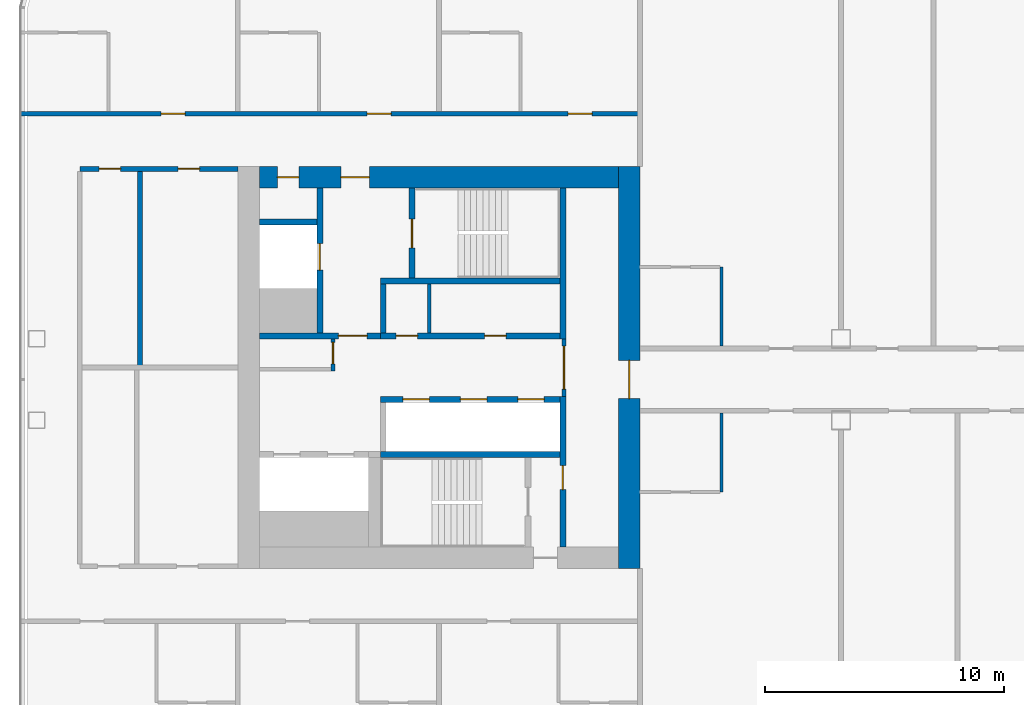
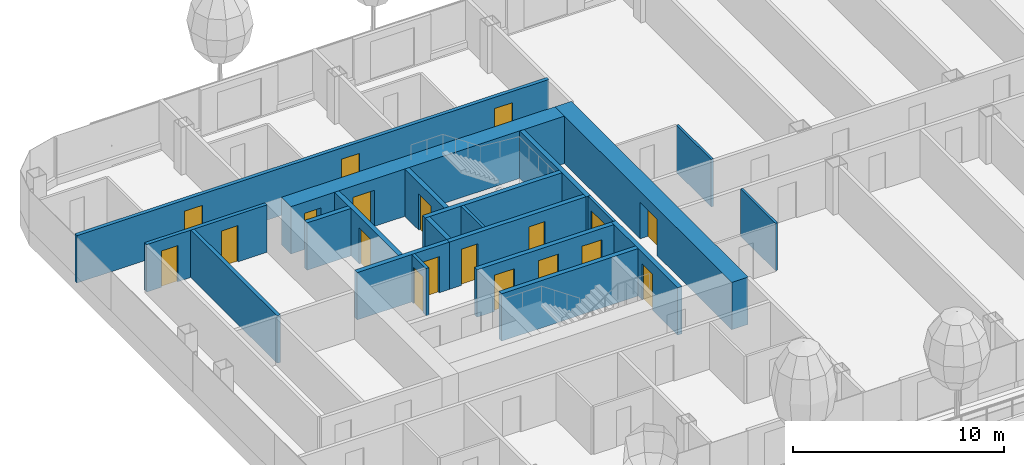
# One storey, part 11 of 29: 21 walls, 19 doors, 19 openings.
"""IFC4 building model written with IfcOpenShell, lengths in metres."""

from ifc_helpers import new_model, si_unit, direction, frame, frame_2d, origin, place, context, subcontext, project, spatial, rectangle, extrude, material, layer, layer_set, type_object, element, fill, save


model = new_model("IFC4")

# Units and contexts
model_context = context("Model", 3, precision=1e-05, world=origin(), true_north=direction((0.0, 1.0)))
body_context = subcontext(model_context, "Body", "Model", "MODEL_VIEW")
ifc_project = project(units=[si_unit("LENGTHUNIT", "METRE"), si_unit("AREAUNIT", "SQUARE_METRE"), si_unit("VOLUMEUNIT", "CUBIC_METRE"), si_unit("PLANEANGLEUNIT", "RADIAN"), si_unit("MASSUNIT", "GRAM", prefix="KILO")], contexts=[model_context])

# Site, building, storey
site_placement = place(None, origin())
site = spatial("IfcSite", under=ifc_project, at=site_placement, CompositionType="ELEMENT")
building_placement = place(site_placement, origin())
building = spatial("IfcBuilding", under=site, at=building_placement, Name="Hakoniwa Tower and Hamabe Station Hall", CompositionType="ELEMENT")
storey_placement = place(building_placement, frame((0.0, 0.0, 163.0)))
storey = spatial("IfcBuildingStorey", under=building, at=storey_placement, Name="L46", CompositionType="ELEMENT", Elevation=163.0)

# Walls
ifc_material_1 = material(Name="Gypsum board partition", Category="gypsum")
ifc_layer_1 = layer(ifc_material_1, 0.125)
ifc_layer_set_1 = layer_set([ifc_layer_1], Name="Bathroom Partition 125")
wall_type_1 = type_object("IfcWallType", Name="Bathroom Partition 125", PredefinedType="PARTITIONING", material=ifc_layer_set_1)
for number, where, z_axis, x_axis, name in (
    (1, (-13.39990234375, -5.199951171875, 0.0), (0.0, 0.0, 1.0), (0.0, 1.0, 0.0), "GW-L46-043"),
    (2, (-13.39990234375, 0.89990234375, 0.0), (0.0, 0.0, 1.0), (0.0, 1.0, 0.0), "GW-L46-044"),
):
    element("IfcWall", number, at=place(storey_placement, frame(where, z_axis=z_axis, x_axis=x_axis)), inside=storey, type_object=wall_type_1, Name=name, PredefinedType="PARTITIONING", context=body_context, shape_type="SweptSolid", body=[
        extrude(rectangle(XDim=3.300048828125, YDim=0.125, at=frame_2d((1.64990234375, 0.0))), origin(), (0.0, 0.0, 1.0), 2.75),
    ])

# Wall, opening, door
ifc_material_2 = material(Name="Gypsum board partition")
ifc_layer_2 = layer(ifc_material_2, 0.14990234375)
ifc_layer_set_2 = layer_set([ifc_layer_2], Name="CORE PARTITION 150 EI 60")
wall_type_2 = type_object("IfcWallType", Name="CORE PARTITION 150 EI 60", PredefinedType="PARTITIONING", material=ifc_layer_set_2)
wall_1_placement = place(storey_placement, frame((-19.97509765625, -1.199951171875, 0.0), z_axis=(0.0, 0.0, 1.0), x_axis=(0.0, 1.0, 0.0)))
wall_1 = element("IfcWall", 3, at=wall_1_placement, inside=storey, type_object=wall_type_2, Name="Core partition PL0 west", PredefinedType="PARTITIONING", context=body_context, shape_type="SweptSolid", body=[
    extrude(rectangle(XDim=2.39990234375, YDim=0.14990234375, at=frame_2d((1.199951171875, 0.0))), origin(), (0.0, 0.0, 1.0), 2.75),
])
opening_1_placement = place(wall_1_placement, frame((0.300048828125, 0.0, 0.0)))
opening_1 = element("IfcOpeningElement", 4, at=opening_1_placement, cuts=wall_1, Name="Opening CD-W-LP0-18", PredefinedType="OPENING", context=body_context, shape_type="SweptSolid", body=[
    extrude(rectangle(XDim=1.800048828125, YDim=2.10009765625, at=frame_2d((0.89990234375, 1.050048828125))), frame((0.0, 0.0849609375, 0.0), z_axis=(0.0, -1.0, 0.0), x_axis=(1.0, 0.0, 0.0)), (0.0, 0.0, 1.0), 0.169921875),
])
ifc_material_3 = material(Name="Steel fire door", Category="steel")
door_type_1 = type_object("IfcDoorType", Name="CORE DOOR 1800 FD60", OperationType="DOUBLE_DOOR_SINGLE_SWING", PredefinedType="DOOR", material=ifc_material_3)
door_1_placement = place(opening_1_placement, origin())
door_1 = element("IfcDoor", 5, at=door_1_placement, inside=storey, type_object=door_type_1, Name="Lift lobby partition door", OperationType="DOUBLE_DOOR_SINGLE_SWING", OverallHeight=2.10009765625, OverallWidth=1.800048828125, PredefinedType="DOOR", context=body_context, shape_type="SweptSolid", body=[
    extrude(rectangle(XDim=1.800048828125, YDim=2.10009765625, at=frame_2d((0.89990234375, 1.050048828125))), frame((0.0, 0.02490234375, 0.0), z_axis=(0.0, -1.0, 0.0), x_axis=(1.0, 0.0, 0.0)), (0.0, 0.0, 1.0), 0.050048828125),
])
fill(opening_1, door_1)

wall_2_placement = place(storey_placement, frame((-29.625, -0.14990234375, 0.0), z_axis=(0.0, 0.0, 1.0), x_axis=(0.0, 1.0, 0.0)))
wall_2 = element("IfcWall", 6, at=wall_2_placement, inside=storey, type_object=wall_type_2, Name="Core partition PW0 west", PredefinedType="PARTITIONING", context=body_context, shape_type="SweptSolid", body=[
    extrude(rectangle(XDim=1.349853515625, YDim=0.14990234375, at=frame_2d((0.6748046875, 0.0))), origin(), (0.0, 0.0, 1.0), 2.75),
])
opening_2_placement = place(wall_2_placement, frame((0.300048828125, 0.0, 0.0)))
opening_2 = element("IfcOpeningElement", 7, at=opening_2_placement, cuts=wall_2, Name="Opening CD-W-RM1-9", PredefinedType="OPENING", context=body_context, shape_type="SweptSolid", body=[
    extrude(rectangle(XDim=0.89990234375, YDim=2.10009765625, at=frame_2d((0.449951171875, 1.050048828125))), frame((0.0, 0.0849609375, 0.0), z_axis=(0.0, -1.0, 0.0), x_axis=(1.0, 0.0, 0.0)), (0.0, 0.0, 1.0), 0.169921875),
])
ifc_material_4 = material(Name="Steel fire door", Category="steel")
door_type_2 = type_object("IfcDoorType", Name="CORE DOOR 900 FD30", OperationType="NOTDEFINED", PredefinedType="DOOR", material=ifc_material_4)
door_2_placement = place(opening_2_placement, origin())
door_2 = element("IfcDoor", 8, at=door_2_placement, inside=storey, type_object=door_type_2, Name="Store room door", OperationType="SINGLE_SWING_LEFT", OverallHeight=2.10009765625, OverallWidth=0.89990234375, PredefinedType="DOOR", context=body_context, shape_type="SweptSolid", body=[
    extrude(rectangle(XDim=0.89990234375, YDim=2.10009765625, at=frame_2d((0.449951171875, 1.050048828125))), frame((0.0, 0.02490234375, 0.0), z_axis=(0.0, -1.0, 0.0), x_axis=(1.0, 0.0, 0.0)), (0.0, 0.0, 1.0), 0.050048828125),
])
fill(opening_2, door_2)

# Wall
wall_3_placement = place(storey_placement, frame((-25.60009765625, 1.449951171875, 0.0), z_axis=(0.0, 0.0, 1.0), x_axis=(0.0, 1.0, 0.0)))
element("IfcWall", 9, at=wall_3_placement, inside=storey, type_object=wall_type_2, Name="Core partition PFLR0 west", PredefinedType="PARTITIONING", context=body_context, shape_type="SweptSolid", body=[
    extrude(rectangle(XDim=2.050048828125, YDim=0.14990234375, at=frame_2d((1.02490234375, 0.0))), origin(), (0.0, 0.0, 1.0), 2.75),
])

# Wall, opening, door
ifc_material_5 = material(Name="Concrete C66", Category="concrete")
ifc_layer_3 = layer(ifc_material_5, 0.89990234375)
ifc_layer_set_3 = layer_set([ifc_layer_3], Name="CORE WALL 900 C66")
wall_type_3 = type_object("IfcWallType", Name="CORE WALL 900 C66", PredefinedType="SHEAR", material=ifc_layer_set_3)
wall_4_placement = place(storey_placement, frame((-17.25, -8.39990234375, 0.0), z_axis=(0.0, 0.0, 1.0), x_axis=(0.0, 1.0, 0.0)))
wall_4 = element("IfcWall", 10, at=wall_4_placement, inside=storey, type_object=wall_type_3, Name="Core wall INNER west", PredefinedType="SHEAR", context=body_context, shape_type="SweptSolid", body=[
    extrude(rectangle(XDim=16.7998046875, YDim=0.89990234375, at=frame_2d((8.39990234375, 0.0))), origin(), (0.0, 0.0, 1.0), 2.75),
])
opening_3_placement = place(wall_4_placement, frame((7.10009765625, 0.0, 0.0)))
opening_3 = element("IfcOpeningElement", 11, at=opening_3_placement, cuts=wall_4, Name="Opening CD-W-IN1-16", PredefinedType="OPENING", context=body_context, shape_type="SweptSolid", body=[
    extrude(rectangle(XDim=1.60009765625, YDim=2.10009765625, at=frame_2d((0.800048828125, 1.050048828125))), frame((0.0, 0.4599609375, 0.0), z_axis=(0.0, -1.0, 0.0), x_axis=(1.0, 0.0, 0.0)), (0.0, 0.0, 1.0), 0.919921875),
])
ifc_material_6 = material(Name="Steel fire door", Category="steel")
door_type_3 = type_object("IfcDoorType", Name="CORE DOOR 1600 FD60", OperationType="DOUBLE_DOOR_SINGLE_SWING", PredefinedType="DOOR", material=ifc_material_6)
door_3_placement = place(opening_3_placement, origin())
door_3 = element("IfcDoor", 12, at=door_3_placement, inside=storey, type_object=door_type_3, Name="Lift lobby door", OperationType="DOUBLE_DOOR_SINGLE_SWING", OverallHeight=2.10009765625, OverallWidth=1.60009765625, PredefinedType="DOOR", context=body_context, shape_type="SweptSolid", body=[
    extrude(rectangle(XDim=1.60009765625, YDim=2.10009765625, at=frame_2d((0.800048828125, 1.050048828125))), frame((0.0, 0.02490234375, 0.0), z_axis=(0.0, -1.0, 0.0), x_axis=(1.0, 0.0, 0.0)), (0.0, 0.0, 1.0), 0.050048828125),
])
fill(opening_3, door_3)

# Wall, openings, doors
wall_5_placement = place(storey_placement, frame((-32.699951171875, 7.949951171875, 0.0), z_axis=(0.0, 0.0, 1.0), x_axis=(1.0, 0.0, 0.0)))
wall_5 = element("IfcWall", 13, at=wall_5_placement, inside=storey, type_object=wall_type_3, Name="Core wall NORTH west", PredefinedType="SHEAR", context=body_context, shape_type="SweptSolid", body=[
    extrude(rectangle(XDim=15.0, YDim=0.89990234375, at=frame_2d((7.5, 0.0))), origin(), (0.0, 0.0, 1.0), 2.75),
])
opening_4_placement = place(wall_5_placement, frame((3.39990234375, 0.0, 0.0)))
opening_4 = element("IfcOpeningElement", 14, at=opening_4_placement, cuts=wall_5, Name="Opening CD-W-FN1-12", PredefinedType="OPENING", context=body_context, shape_type="SweptSolid", body=[
    extrude(rectangle(XDim=1.199951171875, YDim=2.10009765625, at=frame_2d((0.60009765625, 1.050048828125))), frame((0.0, 0.4599609375, 0.0), z_axis=(0.0, -1.0, 0.0), x_axis=(1.0, 0.0, 0.0)), (0.0, 0.0, 1.0), 0.919921875),
])
opening_5_placement = place(wall_5_placement, frame((0.75, 0.0, 0.0)))
opening_5 = element("IfcOpeningElement", 15, at=opening_5_placement, cuts=wall_5, Name="Opening CD-W-FN2-9", PredefinedType="OPENING", context=body_context, shape_type="SweptSolid", body=[
    extrude(rectangle(XDim=0.89990234375, YDim=2.10009765625, at=frame_2d((0.449951171875, 1.050048828125))), frame((0.0, 0.4599609375, 0.0), z_axis=(0.0, -1.0, 0.0), x_axis=(1.0, 0.0, 0.0)), (0.0, 0.0, 1.0), 0.919921875),
])
ifc_material_7 = material(Name="Steel fire door", Category="steel")
door_type_4 = type_object("IfcDoorType", Name="CORE DOOR 1200 FD60", OperationType="DOUBLE_DOOR_SINGLE_SWING", PredefinedType="DOOR", material=ifc_material_7)
door_4_placement = place(opening_4_placement, origin())
door_4 = element("IfcDoor", 16, at=door_4_placement, inside=storey, type_object=door_type_4, Name="Stair vestibule door to the fire-fighting lobby", OperationType="DOUBLE_DOOR_SINGLE_SWING", OverallHeight=2.10009765625, OverallWidth=1.199951171875, PredefinedType="DOOR", context=body_context, shape_type="SweptSolid", body=[
    extrude(rectangle(XDim=1.199951171875, YDim=2.10009765625, at=frame_2d((0.60009765625, 1.050048828125))), frame((0.0, 0.02490234375, 0.0), z_axis=(0.0, -1.0, 0.0), x_axis=(1.0, 0.0, 0.0)), (0.0, 0.0, 1.0), 0.050048828125),
])
fill(opening_4, door_4)
door_5_placement = place(opening_5_placement, origin())
door_5 = element("IfcDoor", 17, at=door_5_placement, inside=storey, type_object=door_type_2, Name="Riser access door", OperationType="SINGLE_SWING_LEFT", OverallHeight=2.10009765625, OverallWidth=0.89990234375, PredefinedType="DOOR", context=body_context, shape_type="SweptSolid", body=[
    extrude(rectangle(XDim=0.89990234375, YDim=2.10009765625, at=frame_2d((0.449951171875, 1.050048828125))), frame((0.0, 0.02490234375, 0.0), z_axis=(0.0, -1.0, 0.0), x_axis=(1.0, 0.0, 0.0)), (0.0, 0.0, 1.0), 0.050048828125),
])
fill(opening_5, door_5)

# Wall
ifc_material_8 = material(Name="Concrete C66", Category="concrete")
ifc_layer_4 = layer(ifc_material_8, 0.25)
ifc_layer_set_4 = layer_set([ifc_layer_4], Name="CORE WEB WALL 250 C66")
wall_type_4 = type_object("IfcWallType", Name="CORE WEB WALL 250 C66", PredefinedType="SHEAR", material=ifc_layer_set_4)
wall_6_placement = place(storey_placement, frame((-20.02490234375, 1.199951171875, 0.0), z_axis=(0.0, 0.0, 1.0), x_axis=(0.0, 1.0, 0.0)))
element("IfcWall", 18, at=wall_6_placement, inside=storey, type_object=wall_type_4, Name="Core wall W1N west", PredefinedType="SHEAR", context=body_context, shape_type="SweptSolid", body=[
    extrude(rectangle(XDim=6.300048828125, YDim=0.25, at=frame_2d((3.14990234375, 0.0))), origin(), (0.0, 0.0, 1.0), 2.75),
])

# Wall, opening, door
wall_7_placement = place(storey_placement, frame((-20.02490234375, -7.5, 0.0), z_axis=(0.0, 0.0, 1.0), x_axis=(0.0, 1.0, 0.0)))
wall_7 = element("IfcWall", 19, at=wall_7_placement, inside=storey, type_object=wall_type_4, Name="Core wall W1S west", PredefinedType="SHEAR", context=body_context, shape_type="SweptSolid", body=[
    extrude(rectangle(XDim=6.300048828125, YDim=0.25, at=frame_2d((3.14990234375, 0.0))), origin(), (0.0, 0.0, 1.0), 2.75),
])
opening_6_placement = place(wall_7_placement, frame((2.39990234375, 0.0, 0.0)))
opening_6 = element("IfcOpeningElement", 20, at=opening_6_placement, cuts=wall_7, Name="Opening CD-W-VS-10", PredefinedType="OPENING", context=body_context, shape_type="SweptSolid", body=[
    extrude(rectangle(XDim=1.0, YDim=2.10009765625, at=frame_2d((0.5, 1.050048828125))), frame((0.0, 0.135009765625, 0.0), z_axis=(0.0, -1.0, 0.0), x_axis=(1.0, 0.0, 0.0)), (0.0, 0.0, 1.0), 0.27001953125),
])
ifc_material_9 = material(Name="Steel fire door", Category="steel")
door_type_5 = type_object("IfcDoorType", Name="CORE DOOR 1000 FD60", OperationType="NOTDEFINED", PredefinedType="DOOR", material=ifc_material_9)
door_6_placement = place(opening_6_placement, origin())
door_6 = element("IfcDoor", 21, at=door_6_placement, inside=storey, type_object=door_type_5, Name="Stair vestibule door", OperationType="SINGLE_SWING_LEFT", OverallHeight=2.10009765625, OverallWidth=1.0, PredefinedType="DOOR", context=body_context, shape_type="SweptSolid", body=[
    extrude(rectangle(XDim=1.0, YDim=2.10009765625, at=frame_2d((0.5, 1.050048828125))), frame((0.0, 0.02490234375, 0.0), z_axis=(0.0, -1.0, 0.0), x_axis=(1.0, 0.0, 0.0)), (0.0, 0.0, 1.0), 0.050048828125),
])
fill(opening_6, door_6)

# Wall, openings, doors
wall_8_placement = place(storey_placement, frame((-27.64990234375, 1.324951171875, 0.0), z_axis=(0.0, 0.0, 1.0), x_axis=(1.0, 0.0, 0.0)))
wall_8 = element("IfcWall", 22, at=wall_8_placement, inside=storey, type_object=wall_type_4, Name="Core wall NF west", PredefinedType="SHEAR", context=body_context, shape_type="SweptSolid", body=[
    extrude(rectangle(XDim=7.5, YDim=0.25, at=frame_2d((3.75, 0.0))), origin(), (0.0, 0.0, 1.0), 2.75),
])
opening_7_placement = place(wall_8_placement, frame((4.362548828125, 0.0, 0.0)))
opening_7 = element("IfcOpeningElement", 23, at=opening_7_placement, cuts=wall_8, Name="Opening CD-W-FRLR0-9", PredefinedType="OPENING", context=body_context, shape_type="SweptSolid", body=[
    extrude(rectangle(XDim=0.89990234375, YDim=2.10009765625, at=frame_2d((0.449951171875, 1.050048828125))), frame((0.0, 0.135009765625, 0.0), z_axis=(0.0, -1.0, 0.0), x_axis=(1.0, 0.0, 0.0)), (0.0, 0.0, 1.0), 0.27001953125),
])
opening_8_placement = place(wall_8_placement, frame((0.66259765625, 0.0, 0.0)))
opening_8 = element("IfcOpeningElement", 24, at=opening_8_placement, cuts=wall_8, Name="Opening CD-W-FRLR1-9", PredefinedType="OPENING", context=body_context, shape_type="SweptSolid", body=[
    extrude(rectangle(XDim=0.89990234375, YDim=2.10009765625, at=frame_2d((0.449951171875, 1.050048828125))), frame((0.0, 0.135009765625, 0.0), z_axis=(0.0, -1.0, 0.0), x_axis=(1.0, 0.0, 0.0)), (0.0, 0.0, 1.0), 0.27001953125),
])
door_7_placement = place(opening_7_placement, origin())
door_7 = element("IfcDoor", 25, at=door_7_placement, inside=storey, type_object=door_type_2, Name="Store room door", OperationType="SINGLE_SWING_RIGHT", OverallHeight=2.10009765625, OverallWidth=0.89990234375, PredefinedType="DOOR", context=body_context, shape_type="SweptSolid", body=[
    extrude(rectangle(XDim=0.89990234375, YDim=2.10009765625, at=frame_2d((0.449951171875, 1.050048828125))), frame((0.0, 0.02490234375, 0.0), z_axis=(0.0, -1.0, 0.0), x_axis=(1.0, 0.0, 0.0)), (0.0, 0.0, 1.0), 0.050048828125),
])
fill(opening_7, door_7)
door_8_placement = place(opening_8_placement, origin())
door_8 = element("IfcDoor", 26, at=door_8_placement, inside=storey, type_object=door_type_2, Name="Store room door", OperationType="SINGLE_SWING_LEFT", OverallHeight=2.10009765625, OverallWidth=0.89990234375, PredefinedType="DOOR", context=body_context, shape_type="SweptSolid", body=[
    extrude(rectangle(XDim=0.89990234375, YDim=2.10009765625, at=frame_2d((0.449951171875, 1.050048828125))), frame((0.0, 0.02490234375, 0.0), z_axis=(0.0, -1.0, 0.0), x_axis=(1.0, 0.0, 0.0)), (0.0, 0.0, 1.0), 0.050048828125),
])
fill(opening_8, door_8)

# Walls
wall_9_placement = place(storey_placement, frame((-27.52490234375, 1.449951171875, 0.0), z_axis=(0.0, 0.0, 1.0), x_axis=(0.0, 1.0, 0.0)))
element("IfcWall", 27, at=wall_9_placement, inside=storey, type_object=wall_type_4, Name="Core wall NE west", PredefinedType="SHEAR", context=body_context, shape_type="SweptSolid", body=[
    extrude(rectangle(XDim=2.050048828125, YDim=0.25, at=frame_2d((1.02490234375, 0.0))), origin(), (0.0, 0.0, 1.0), 2.75),
])
wall_10_placement = place(storey_placement, frame((-27.64990234375, 3.625, 0.0), z_axis=(0.0, 0.0, 1.0), x_axis=(1.0, 0.0, 0.0)))
element("IfcWall", 28, at=wall_10_placement, inside=storey, type_object=wall_type_4, Name="Core wall NR west", PredefinedType="SHEAR", context=body_context, shape_type="SweptSolid", body=[
    extrude(rectangle(XDim=7.5, YDim=0.25, at=frame_2d((3.75, 0.0))), origin(), (0.0, 0.0, 1.0), 2.75),
])

# Wall, opening, door
wall_11_placement = place(storey_placement, frame((-26.324951171875, 3.75, 0.0), z_axis=(0.0, 0.0, 1.0), x_axis=(0.0, 1.0, 0.0)))
wall_11 = element("IfcWall", 29, at=wall_11_placement, inside=storey, type_object=wall_type_4, Name="Core wall NSE west", PredefinedType="SHEAR", context=body_context, shape_type="SweptSolid", body=[
    extrude(rectangle(XDim=3.75, YDim=0.25, at=frame_2d((1.875, 0.0))), origin(), (0.0, 0.0, 1.0), 2.75),
])
opening_9_placement = place(wall_11_placement, frame((1.25, 0.0, 0.0)))
opening_9 = element("IfcOpeningElement", 30, at=opening_9_placement, cuts=wall_11, Name="Opening CD-W-SN-12", PredefinedType="OPENING", context=body_context, shape_type="SweptSolid", body=[
    extrude(rectangle(XDim=1.199951171875, YDim=2.10009765625, at=frame_2d((0.60009765625, 1.050048828125))), frame((0.0, 0.135009765625, 0.0), z_axis=(0.0, -1.0, 0.0), x_axis=(1.0, 0.0, 0.0)), (0.0, 0.0, 1.0), 0.27001953125),
])
door_9_placement = place(opening_9_placement, origin())
door_9 = element("IfcDoor", 31, at=door_9_placement, inside=storey, type_object=door_type_4, Name="Escape stair door", OperationType="DOUBLE_DOOR_SINGLE_SWING", OverallHeight=2.10009765625, OverallWidth=1.199951171875, PredefinedType="DOOR", context=body_context, shape_type="SweptSolid", body=[
    extrude(rectangle(XDim=1.199951171875, YDim=2.10009765625, at=frame_2d((0.60009765625, 1.050048828125))), frame((0.0, 0.02490234375, 0.0), z_axis=(0.0, -1.0, 0.0), x_axis=(1.0, 0.0, 0.0)), (0.0, 0.0, 1.0), 0.050048828125),
])
fill(opening_9, door_9)

wall_12_placement = place(storey_placement, frame((-32.699951171875, 1.324951171875, 0.0), z_axis=(0.0, 0.0, 1.0), x_axis=(1.0, 0.0, 0.0)))
wall_12 = element("IfcWall", 32, at=wall_12_placement, inside=storey, type_object=wall_type_4, Name="Core wall ELN west", PredefinedType="SHEAR", context=body_context, shape_type="SweptSolid", body=[
    extrude(rectangle(XDim=5.050048828125, YDim=0.25, at=frame_2d((2.52490234375, 0.0))), origin(), (0.0, 0.0, 1.0), 2.75),
])
opening_10_placement = place(wall_12_placement, frame((3.300048828125, 0.0, 0.0)))
opening_10 = element("IfcOpeningElement", 33, at=opening_10_placement, cuts=wall_12, Name="Opening CD-W-FL-12", PredefinedType="OPENING", context=body_context, shape_type="SweptSolid", body=[
    extrude(rectangle(XDim=1.199951171875, YDim=2.10009765625, at=frame_2d((0.60009765625, 1.050048828125))), frame((0.0, 0.135009765625, 0.0), z_axis=(0.0, -1.0, 0.0), x_axis=(1.0, 0.0, 0.0)), (0.0, 0.0, 1.0), 0.27001953125),
])
door_10_placement = place(opening_10_placement, origin())
door_10 = element("IfcDoor", 34, at=door_10_placement, inside=storey, type_object=door_type_4, Name="Stair vestibule door to the fire-fighting lobby", OperationType="DOUBLE_DOOR_SINGLE_SWING", OverallHeight=2.10009765625, OverallWidth=1.199951171875, PredefinedType="DOOR", context=body_context, shape_type="SweptSolid", body=[
    extrude(rectangle(XDim=1.199951171875, YDim=2.10009765625, at=frame_2d((0.60009765625, 1.050048828125))), frame((0.0, 0.02490234375, 0.0), z_axis=(0.0, -1.0, 0.0), x_axis=(1.0, 0.0, 0.0)), (0.0, 0.0, 1.0), 0.050048828125),
])
fill(opening_10, door_10)

wall_13_placement = place(storey_placement, frame((-30.175048828125, 1.449951171875, 0.0), z_axis=(0.0, 0.0, 1.0), x_axis=(0.0, 1.0, 0.0)))
wall_13 = element("IfcWall", 35, at=wall_13_placement, inside=storey, type_object=wall_type_4, Name="Core wall FFF west", PredefinedType="SHEAR", context=body_context, shape_type="SweptSolid", body=[
    extrude(rectangle(XDim=6.050048828125, YDim=0.25, at=frame_2d((3.02490234375, 0.0))), origin(), (0.0, 0.0, 1.0), 2.75),
])
opening_11_placement = place(wall_13_placement, frame((2.625, 0.0, 0.0)))
opening_11 = element("IfcOpeningElement", 36, at=opening_11_placement, cuts=wall_13, Name="Opening LD-FF1", PredefinedType="OPENING", context=body_context, shape_type="SweptSolid", body=[
    extrude(rectangle(XDim=1.10009765625, YDim=2.10009765625, at=frame_2d((0.550048828125, 1.050048828125))), frame((0.0, 0.135009765625, 0.0), z_axis=(0.0, -1.0, 0.0), x_axis=(1.0, 0.0, 0.0)), (0.0, 0.0, 1.0), 0.27001953125),
])
ifc_material_10 = material(Name="Stainless steel SUS304", Category="steel")
door_type_6 = type_object("IfcDoorType", Name="LIFT LANDING DOOR 1100 FD60", OperationType="DOUBLE_DOOR_SLIDING", PredefinedType="DOOR", material=ifc_material_10)
door_11_placement = place(opening_11_placement, origin())
door_11 = element("IfcDoor", 37, at=door_11_placement, inside=storey, type_object=door_type_6, Name="Lift landing door FF1 L46", OperationType="DOUBLE_DOOR_SLIDING", OverallHeight=2.10009765625, OverallWidth=1.10009765625, PredefinedType="DOOR", context=body_context, shape_type="SweptSolid", body=[
    extrude(rectangle(XDim=1.10009765625, YDim=2.10009765625, at=frame_2d((0.550048828125, 1.050048828125))), frame((0.0, 0.02490234375, 0.0), z_axis=(0.0, -1.0, 0.0), x_axis=(1.0, 0.0, 0.0)), (0.0, 0.0, 1.0), 0.050048828125),
])
fill(opening_11, door_11)

# Wall
wall_14_placement = place(storey_placement, frame((-32.699951171875, 6.074951171875, 0.0), z_axis=(0.0, 0.0, 1.0), x_axis=(1.0, 0.0, 0.0)))
element("IfcWall", 38, at=wall_14_placement, inside=storey, type_object=wall_type_4, Name="Core wall C2 west", PredefinedType="SHEAR", context=body_context, shape_type="SweptSolid", body=[
    extrude(rectangle(XDim=2.39990234375, YDim=0.25, at=frame_2d((1.199951171875, 0.0))), origin(), (0.0, 0.0, 1.0), 2.75),
])

# Wall, openings, doors
wall_15_placement = place(storey_placement, frame((-27.64990234375, -1.324951171875, 0.0), z_axis=(0.0, 0.0, 1.0), x_axis=(1.0, 0.0, 0.0)))
wall_15 = element("IfcWall", 39, at=wall_15_placement, inside=storey, type_object=wall_type_4, Name="Core wall SF west", PredefinedType="SHEAR", context=body_context, shape_type="SweptSolid", body=[
    extrude(rectangle(XDim=7.5, YDim=0.25, at=frame_2d((3.75, 0.0))), origin(), (0.0, 0.0, 1.0), 2.75),
])
opening_12_placement = place(wall_15_placement, frame((5.75, 0.0, 0.0)))
opening_12 = element("IfcOpeningElement", 40, at=opening_12_placement, cuts=wall_15, Name="Opening LD-HR1", PredefinedType="OPENING", context=body_context, shape_type="SweptSolid", body=[
    extrude(rectangle(XDim=1.10009765625, YDim=2.10009765625, at=frame_2d((0.550048828125, 1.050048828125))), frame((0.0, 0.135009765625, 0.0), z_axis=(0.0, -1.0, 0.0), x_axis=(1.0, 0.0, 0.0)), (0.0, 0.0, 1.0), 0.27001953125),
])
opening_13_placement = place(wall_15_placement, frame((3.35009765625, 0.0, 0.0)))
opening_13 = element("IfcOpeningElement", 41, at=opening_13_placement, cuts=wall_15, Name="Opening LD-HR2", PredefinedType="OPENING", context=body_context, shape_type="SweptSolid", body=[
    extrude(rectangle(XDim=1.10009765625, YDim=2.10009765625, at=frame_2d((0.550048828125, 1.050048828125))), frame((0.0, 0.135009765625, 0.0), z_axis=(0.0, -1.0, 0.0), x_axis=(1.0, 0.0, 0.0)), (0.0, 0.0, 1.0), 0.27001953125),
])
opening_14_placement = place(wall_15_placement, frame((0.949951171875, 0.0, 0.0)))
opening_14 = element("IfcOpeningElement", 42, at=opening_14_placement, cuts=wall_15, Name="Opening LD-HR3", PredefinedType="OPENING", context=body_context, shape_type="SweptSolid", body=[
    extrude(rectangle(XDim=1.10009765625, YDim=2.10009765625, at=frame_2d((0.550048828125, 1.050048828125))), frame((0.0, 0.135009765625, 0.0), z_axis=(0.0, -1.0, 0.0), x_axis=(1.0, 0.0, 0.0)), (0.0, 0.0, 1.0), 0.27001953125),
])
door_12_placement = place(opening_12_placement, origin())
door_12 = element("IfcDoor", 43, at=door_12_placement, inside=storey, type_object=door_type_6, Name="Lift landing door HR1 L46", OperationType="DOUBLE_DOOR_SLIDING", OverallHeight=2.10009765625, OverallWidth=1.10009765625, PredefinedType="DOOR", context=body_context, shape_type="SweptSolid", body=[
    extrude(rectangle(XDim=1.10009765625, YDim=2.10009765625, at=frame_2d((0.550048828125, 1.050048828125))), frame((0.0, 0.02490234375, 0.0), z_axis=(0.0, -1.0, 0.0), x_axis=(1.0, 0.0, 0.0)), (0.0, 0.0, 1.0), 0.050048828125),
])
fill(opening_12, door_12)
door_13_placement = place(opening_13_placement, origin())
door_13 = element("IfcDoor", 44, at=door_13_placement, inside=storey, type_object=door_type_6, Name="Lift landing door HR2 L46", OperationType="DOUBLE_DOOR_SLIDING", OverallHeight=2.10009765625, OverallWidth=1.10009765625, PredefinedType="DOOR", context=body_context, shape_type="SweptSolid", body=[
    extrude(rectangle(XDim=1.10009765625, YDim=2.10009765625, at=frame_2d((0.550048828125, 1.050048828125))), frame((0.0, 0.02490234375, 0.0), z_axis=(0.0, -1.0, 0.0), x_axis=(1.0, 0.0, 0.0)), (0.0, 0.0, 1.0), 0.050048828125),
])
fill(opening_13, door_13)
door_14_placement = place(opening_14_placement, origin())
door_14 = element("IfcDoor", 45, at=door_14_placement, inside=storey, type_object=door_type_6, Name="Lift landing door HR3 L46", OperationType="DOUBLE_DOOR_SLIDING", OverallHeight=2.10009765625, OverallWidth=1.10009765625, PredefinedType="DOOR", context=body_context, shape_type="SweptSolid", body=[
    extrude(rectangle(XDim=1.10009765625, YDim=2.10009765625, at=frame_2d((0.550048828125, 1.050048828125))), frame((0.0, 0.02490234375, 0.0), z_axis=(0.0, -1.0, 0.0), x_axis=(1.0, 0.0, 0.0)), (0.0, 0.0, 1.0), 0.050048828125),
])
fill(opening_14, door_14)

# Wall
wall_16_placement = place(storey_placement, frame((-27.64990234375, -3.625, 0.0), z_axis=(0.0, 0.0, 1.0), x_axis=(1.0, 0.0, 0.0)))
element("IfcWall", 46, at=wall_16_placement, inside=storey, type_object=wall_type_4, Name="Core wall SR west", PredefinedType="SHEAR", context=body_context, shape_type="SweptSolid", body=[
    extrude(rectangle(XDim=7.5, YDim=0.25, at=frame_2d((3.75, 0.0))), origin(), (0.0, 0.0, 1.0), 2.75),
])

# Wall, openings, doors
ifc_material_11 = material(Name="Fire-rated gypsum board partition", Category="gypsum")
ifc_layer_5 = layer(ifc_material_11, 0.199951171875)
ifc_layer_set_5 = layer_set([ifc_layer_5], Name="Corridor Wall 200")
wall_type_5 = type_object("IfcWallType", Name="Corridor Wall 200", PredefinedType="PARTITIONING", material=ifc_layer_set_5)
wall_17_placement = place(storey_placement, frame((-40.199951171875, 8.300048828125, 0.0), z_axis=(0.0, 0.0, 1.0), x_axis=(1.0, 0.0, 0.0)))
wall_17 = element("IfcWall", 47, at=wall_17_placement, inside=storey, type_object=wall_type_5, Name="GW-L46-019", PredefinedType="PARTITIONING", context=body_context, shape_type="SweptSolid", body=[
    extrude(rectangle(XDim=6.599853515625, YDim=0.199951171875, at=frame_2d((3.2998046875, 0.0))), origin(), (0.0, 0.0, 1.0), 2.75),
])
opening_15_placement = place(wall_17_placement, frame((0.804931640625, 0.0, 0.0)))
opening_15 = element("IfcOpeningElement", 48, at=opening_15_placement, cuts=wall_17, Name="Opening GD-G3A2-33", PredefinedType="OPENING", context=body_context, shape_type="SweptSolid", body=[
    extrude(rectangle(XDim=0.89990234375, YDim=2.10009765625, at=frame_2d((0.449951171875, 1.050048828125))), frame((0.0, 0.10986328125, 0.0), z_axis=(0.0, -1.0, 0.0), x_axis=(1.0, 0.0, 0.0)), (0.0, 0.0, 1.0), 0.219970703125),
])
opening_16_placement = place(wall_17_placement, frame((4.10498046875, 0.0, 0.0)))
opening_16 = element("IfcOpeningElement", 49, at=opening_16_placement, cuts=wall_17, Name="Opening GD-G3A2-34", PredefinedType="OPENING", context=body_context, shape_type="SweptSolid", body=[
    extrude(rectangle(XDim=0.89990234375, YDim=2.10009765625, at=frame_2d((0.449951171875, 1.050048828125))), frame((0.0, 0.10986328125, 0.0), z_axis=(0.0, -1.0, 0.0), x_axis=(1.0, 0.0, 0.0)), (0.0, 0.0, 1.0), 0.219970703125),
])
ifc_material_12 = material(Name="Timber door leaf", Category="wood")
door_type_7 = type_object("IfcDoorType", Name="Service Door 900", OperationType="SINGLE_SWING_LEFT", PredefinedType="DOOR", material=ifc_material_12)
door_15_placement = place(opening_15_placement, origin())
door_15 = element("IfcDoor", 50, at=door_15_placement, inside=storey, type_object=door_type_7, Name="Door GD-G3A2-33", OperationType="SINGLE_SWING_LEFT", OverallHeight=2.10009765625, OverallWidth=0.89990234375, PredefinedType="DOOR", context=body_context, shape_type="SweptSolid", body=[
    extrude(rectangle(XDim=0.89990234375, YDim=2.10009765625, at=frame_2d((0.449951171875, 1.050048828125))), frame((0.0, 0.02490234375, 0.0), z_axis=(0.0, -1.0, 0.0), x_axis=(1.0, 0.0, 0.0)), (0.0, 0.0, 1.0), 0.050048828125),
])
fill(opening_15, door_15)
door_16_placement = place(opening_16_placement, origin())
door_16 = element("IfcDoor", 51, at=door_16_placement, inside=storey, type_object=door_type_7, Name="Door GD-G3A2-34", OperationType="SINGLE_SWING_LEFT", OverallHeight=2.10009765625, OverallWidth=0.89990234375, PredefinedType="DOOR", context=body_context, shape_type="SweptSolid", body=[
    extrude(rectangle(XDim=0.89990234375, YDim=2.10009765625, at=frame_2d((0.449951171875, 1.050048828125))), frame((0.0, 0.02490234375, 0.0), z_axis=(0.0, -1.0, 0.0), x_axis=(1.0, 0.0, 0.0)), (0.0, 0.0, 1.0), 0.050048828125),
])
fill(opening_16, door_16)

wall_18_placement = place(storey_placement, frame((-42.699951171875, 10.60009765625, 0.0), z_axis=(0.0, 0.0, 1.0), x_axis=(1.0, 0.0, 0.0)))
wall_18 = element("IfcWall", 52, at=wall_18_placement, inside=storey, type_object=wall_type_5, Name="GW-L46-021", PredefinedType="PARTITIONING", context=body_context, shape_type="SweptSolid", body=[
    extrude(rectangle(XDim=25.89990234375, YDim=0.199951171875, at=frame_2d((12.949951171875, 0.0))), origin(), (0.0, 0.0, 1.0), 2.75),
])
opening_17_placement = place(wall_18_placement, frame((5.89990234375, 0.0, 0.0)))
opening_17 = element("IfcOpeningElement", 53, at=opening_17_placement, cuts=wall_18, Name="Opening GD-G3A2-37", PredefinedType="OPENING", context=body_context, shape_type="SweptSolid", body=[
    extrude(rectangle(XDim=1.0, YDim=2.10009765625, at=frame_2d((0.5, 1.050048828125))), frame((0.0, 0.10986328125, 0.0), z_axis=(0.0, -1.0, 0.0), x_axis=(1.0, 0.0, 0.0)), (0.0, 0.0, 1.0), 0.219970703125),
])
opening_18_placement = place(wall_18_placement, frame((14.5, 0.0, 0.0)))
opening_18 = element("IfcOpeningElement", 54, at=opening_18_placement, cuts=wall_18, Name="Opening GD-G3A2-38", PredefinedType="OPENING", context=body_context, shape_type="SweptSolid", body=[
    extrude(rectangle(XDim=1.0, YDim=2.10009765625, at=frame_2d((0.5, 1.050048828125))), frame((0.0, 0.10986328125, 0.0), z_axis=(0.0, -1.0, 0.0), x_axis=(1.0, 0.0, 0.0)), (0.0, 0.0, 1.0), 0.219970703125),
])
opening_19_placement = place(wall_18_placement, frame((22.89990234375, 0.0, 0.0)))
opening_19 = element("IfcOpeningElement", 55, at=opening_19_placement, cuts=wall_18, Name="Opening GD-G3A2-39", PredefinedType="OPENING", context=body_context, shape_type="SweptSolid", body=[
    extrude(rectangle(XDim=1.0, YDim=2.10009765625, at=frame_2d((0.5, 1.050048828125))), frame((0.0, 0.10986328125, 0.0), z_axis=(0.0, -1.0, 0.0), x_axis=(1.0, 0.0, 0.0)), (0.0, 0.0, 1.0), 0.219970703125),
])
ifc_material_13 = material(Name="Timber door leaf", Category="wood")
door_type_8 = type_object("IfcDoorType", Name="Guest Entrance Door 1000", OperationType="SINGLE_SWING_LEFT", PredefinedType="DOOR", material=ifc_material_13)
door_17_placement = place(opening_17_placement, origin())
door_17 = element("IfcDoor", 56, at=door_17_placement, inside=storey, type_object=door_type_8, Name="Door GD-G3A2-37", OperationType="SINGLE_SWING_RIGHT", OverallHeight=2.10009765625, OverallWidth=1.0, PredefinedType="DOOR", context=body_context, shape_type="SweptSolid", body=[
    extrude(rectangle(XDim=1.0, YDim=2.10009765625, at=frame_2d((0.5, 1.050048828125))), frame((0.0, 0.02490234375, 0.0), z_axis=(0.0, -1.0, 0.0), x_axis=(1.0, 0.0, 0.0)), (0.0, 0.0, 1.0), 0.050048828125),
])
fill(opening_17, door_17)
door_18_placement = place(opening_18_placement, origin())
door_18 = element("IfcDoor", 57, at=door_18_placement, inside=storey, type_object=door_type_8, Name="Door GD-G3A2-38", OperationType="SINGLE_SWING_LEFT", OverallHeight=2.10009765625, OverallWidth=1.0, PredefinedType="DOOR", context=body_context, shape_type="SweptSolid", body=[
    extrude(rectangle(XDim=1.0, YDim=2.10009765625, at=frame_2d((0.5, 1.050048828125))), frame((0.0, 0.02490234375, 0.0), z_axis=(0.0, -1.0, 0.0), x_axis=(1.0, 0.0, 0.0)), (0.0, 0.0, 1.0), 0.050048828125),
])
fill(opening_18, door_18)
door_19_placement = place(opening_19_placement, origin())
door_19 = element("IfcDoor", 58, at=door_19_placement, inside=storey, type_object=door_type_8, Name="Door GD-G3A2-39", OperationType="SINGLE_SWING_RIGHT", OverallHeight=2.10009765625, OverallWidth=1.0, PredefinedType="DOOR", context=body_context, shape_type="SweptSolid", body=[
    extrude(rectangle(XDim=1.0, YDim=2.10009765625, at=frame_2d((0.5, 1.050048828125))), frame((0.0, 0.02490234375, 0.0), z_axis=(0.0, -1.0, 0.0), x_axis=(1.0, 0.0, 0.0)), (0.0, 0.0, 1.0), 0.050048828125),
])
fill(opening_19, door_19)

# Wall
ifc_material_14 = material(Name="Fire-rated gypsum board partition", Category="gypsum")
ifc_layer_6 = layer(ifc_material_14, 0.199951171875)
ifc_layer_set_6 = layer_set([ifc_layer_6], Name="Party Wall 200")
wall_type_6 = type_object("IfcWallType", Name="Party Wall 200", PredefinedType="PARTITIONING", material=ifc_layer_set_6)
wall_19_placement = place(storey_placement, frame((-37.68994140625, 0.0, 0.0), z_axis=(0.0, 0.0, 1.0), x_axis=(0.0, 1.0, 0.0)))
element("IfcWall", 59, at=wall_19_placement, inside=storey, type_object=wall_type_6, Name="GW-L46-031", PredefinedType="PARTITIONING", context=body_context, shape_type="SweptSolid", body=[
    extrude(rectangle(XDim=8.199951171875, YDim=0.199951171875, at=frame_2d((4.10009765625, 0.0))), origin(), (0.0, 0.0, 1.0), 2.75),
])

save(model, "model.ifc")
